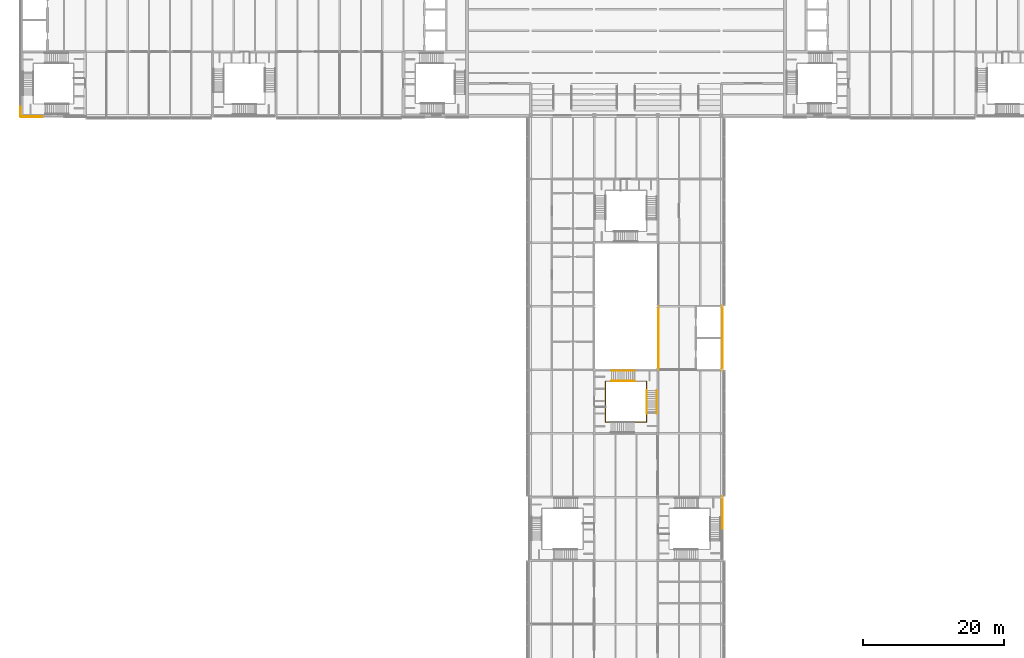
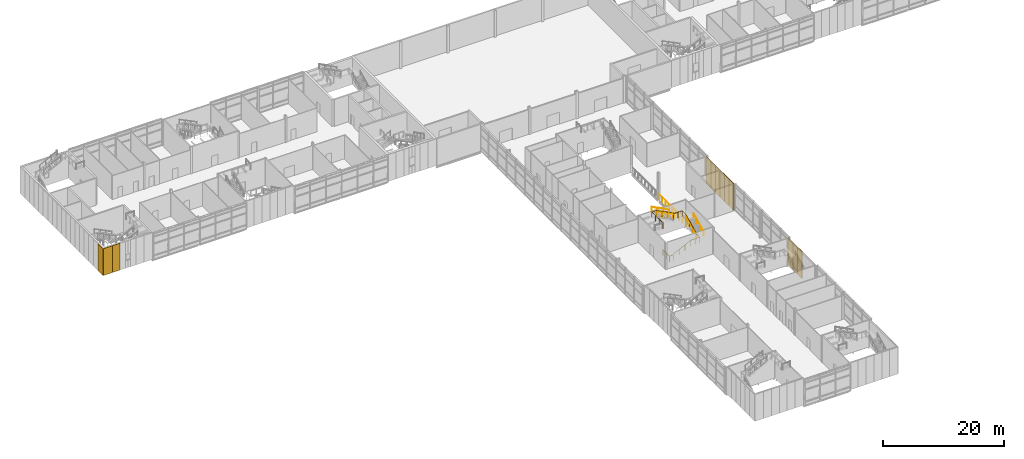
# One storey, part 45 of 52: 12 coverings, 6 railings.
"""IFC4 building model written with IfcOpenShell, lengths in metres."""

from ifc_helpers import new_model, si_unit, direction, frame, origin, origin_2d, place, context, subcontext, project, spatial, rectangle, circle, extrude, material, layer, layer_set, type_object, element, save


model = new_model("IFC4")

# Units and contexts
model_context = context("Model", 3, precision=1e-05, world=origin(), true_north=direction((0.0, 1.0)))
body_context = subcontext(model_context, "Body", "Model", "MODEL_VIEW")
ifc_project = project(units=[si_unit("LENGTHUNIT", "METRE"), si_unit("AREAUNIT", "SQUARE_METRE"), si_unit("VOLUMEUNIT", "CUBIC_METRE"), si_unit("PLANEANGLEUNIT", "RADIAN"), si_unit("MASSUNIT", "GRAM", prefix="KILO")], contexts=[model_context])

# Site, building, storey
site_placement = place(None, origin())
site = spatial("IfcSite", under=ifc_project, at=site_placement, CompositionType="ELEMENT")
building_placement = place(site_placement, origin())
building = spatial("IfcBuilding", under=site, at=building_placement, Name="Azimuth Sports and Learning Centre", CompositionType="ELEMENT")
storey_placement = place(building_placement, frame((0.0, 0.0, 16.199951171875)))
storey = spatial("IfcBuildingStorey", under=building, at=storey_placement, Name="L03", CompositionType="ELEMENT", Elevation=16.199951171875)

# Coverings
ifc_material_1 = material(Name="Cladding panel")
ifc_layer = layer(ifc_material_1, 0.10009765625)
ifc_layer_set = layer_set([ifc_layer], Name="Cladding panel")
covering_type = type_object("IfcCoveringType", Name="Cladding panel 100", PredefinedType="CLADDING", material=ifc_layer_set)
covering_1_placement = place(storey_placement, frame((0.675048828125, 89.800048828125, 0.0), z_axis=(0.0, 0.0, 1.0), x_axis=(1.0, 0.0, 0.0)))
element("IfcCovering", 1, at=covering_1_placement, inside=storey, type_object=covering_type, Name="Cladding panel S-END W L03 1", PredefinedType="CLADDING", context=body_context, shape_type="SweptSolid", body=[
    extrude(rectangle(XDim=1.64990234375, YDim=0.10009765625, at=origin_2d()), origin(), (0.0, 0.0, 1.0), 5.39990234375),
])
for number, where, z_axis, x_axis, name in (
    (2, (2.25, 89.800048828125, 0.0), (0.0, 0.0, 1.0), (1.0, 0.0, 0.0), "Cladding panel S-END W L03 2"),
    (3, (99.14990234375, 32.25, 0.0), (0.0, 0.0, 1.0), (0.0, 1.0, 0.0), "Cladding panel E-ST4 L03 4"),
    (4, (99.14990234375, 33.75, 0.0), (0.0, 0.0, 1.0), (0.0, 1.0, 0.0), "Cladding panel E-ST4 L03 5"),
):
    element("IfcCovering", number, at=place(storey_placement, frame(where, z_axis=z_axis, x_axis=x_axis)), inside=storey, type_object=covering_type, Name=name, PredefinedType="CLADDING", context=body_context, shape_type="SweptSolid", body=[
        extrude(rectangle(XDim=1.5, YDim=0.10009765625, at=origin_2d()), origin(), (0.0, 0.0, 1.0), 5.39990234375),
    ])
for number, where, z_axis, x_axis, name in (
    (5, (99.14990234375, 35.300048828125, 0.0), (0.0, 0.0, 1.0), (0.0, 1.0, 0.0), "Cladding panel E-ST4 L03 6"),
    (6, (99.14990234375, 54.699951171875, 0.0), (0.0, 0.0, 1.0), (0.0, 1.0, 0.0), "Cladding panel E-STL L03 1"),
):
    element("IfcCovering", number, at=place(storey_placement, frame(where, z_axis=z_axis, x_axis=x_axis)), inside=storey, type_object=covering_type, Name=name, PredefinedType="CLADDING", context=body_context, shape_type="SweptSolid", body=[
        extrude(rectangle(XDim=1.60009765625, YDim=0.10009765625, at=origin_2d()), origin(), (0.0, 0.0, 1.0), 5.39990234375),
    ])
for number, where, z_axis, x_axis, name in (
    (7, (99.14990234375, 56.25, 0.0), (0.0, 0.0, 1.0), (0.0, 1.0, 0.0), "Cladding panel E-STL L03 2"),
    (8, (99.14990234375, 57.75, 0.0), (0.0, 0.0, 1.0), (0.0, 1.0, 0.0), "Cladding panel E-STL L03 3"),
    (9, (99.14990234375, 59.25, 0.0), (0.0, 0.0, 1.0), (0.0, 1.0, 0.0), "Cladding panel E-STL L03 4"),
    (10, (99.14990234375, 60.75, 0.0), (0.0, 0.0, 1.0), (0.0, 1.0, 0.0), "Cladding panel E-STL L03 5"),
):
    element("IfcCovering", number, at=place(storey_placement, frame(where, z_axis=z_axis, x_axis=x_axis)), inside=storey, type_object=covering_type, Name=name, PredefinedType="CLADDING", context=body_context, shape_type="SweptSolid", body=[
        extrude(rectangle(XDim=1.5, YDim=0.10009765625, at=origin_2d()), origin(), (0.0, 0.0, 1.0), 5.39990234375),
    ])
covering_2_placement = place(storey_placement, frame((99.14990234375, 62.300048828125, 0.0), z_axis=(0.0, 0.0, 1.0), x_axis=(0.0, 1.0, 0.0)))
element("IfcCovering", 11, at=covering_2_placement, inside=storey, type_object=covering_type, Name="Cladding panel E-STL L03 6", PredefinedType="CLADDING", context=body_context, shape_type="SweptSolid", body=[
    extrude(rectangle(XDim=1.60009765625, YDim=0.10009765625, at=origin_2d()), origin(), (0.0, 0.0, 1.0), 5.39990234375),
])
covering_3_placement = place(storey_placement, frame((-0.199951171875, 90.675048828125, 0.0), z_axis=(0.0, 0.0, 1.0), x_axis=(0.0, -1.0, 0.0)))
element("IfcCovering", 12, at=covering_3_placement, inside=storey, type_object=covering_type, Name="Cladding panel W-END W L03 18", PredefinedType="CLADDING", context=body_context, shape_type="SweptSolid", body=[
    extrude(rectangle(XDim=1.64990234375, YDim=0.10009765625, at=origin_2d()), origin(), (0.0, 0.0, 1.0), 5.39990234375),
])

# Railings
ifc_material_2 = material(Name="Steel balustrade", Category="steel")
railing_type_1 = type_object("IfcRailingType", Name="Guard 1100", PredefinedType="GUARDRAIL", material=ifc_material_2)
railing_1_placement = place(storey_placement, frame((90.070068359375, 54.0, 0.0)))
element("IfcRailing", 13, at=railing_1_placement, inside=storey, type_object=railing_type_1, Name="Atrium guard", PredefinedType="GUARDRAIL", context=body_context, shape_type="SweptSolid", body=[
    extrude(circle(Radius=0.02392578125, at=origin_2d()), frame((0.0, 0.0, 1.076171875), z_axis=(0.0, 1.0, 0.0), x_axis=(-1.0, 0.0, 0.0)), (0.0, 0.0, 1.0), 9.0),
    extrude(circle(Radius=0.02099609375, at=origin_2d()), origin(), (0.0, 0.0, 1.0), 1.052001953125),
    extrude(circle(Radius=0.02099609375, at=origin_2d()), frame((0.0, 1.125, 0.0)), (0.0, 0.0, 1.0), 1.052001953125),
    extrude(circle(Radius=0.02099609375, at=origin_2d()), frame((0.0, 2.25, 0.0)), (0.0, 0.0, 1.0), 1.052001953125),
    extrude(circle(Radius=0.02099609375, at=origin_2d()), frame((0.0, 3.375, 0.0)), (0.0, 0.0, 1.0), 1.052001953125),
    extrude(circle(Radius=0.02099609375, at=origin_2d()), frame((0.0, 4.5, 0.0)), (0.0, 0.0, 1.0), 1.052001953125),
    extrude(circle(Radius=0.02099609375, at=origin_2d()), frame((0.0, 5.625, 0.0)), (0.0, 0.0, 1.0), 1.052001953125),
    extrude(circle(Radius=0.02099609375, at=origin_2d()), frame((0.0, 6.75, 0.0)), (0.0, 0.0, 1.0), 1.052001953125),
    extrude(circle(Radius=0.02099609375, at=origin_2d()), frame((0.0, 7.875, 0.0)), (0.0, 0.0, 1.0), 1.052001953125),
    extrude(circle(Radius=0.02099609375, at=origin_2d()), frame((0.0, 9.0, 0.0)), (0.0, 0.0, 1.0), 1.052001953125),
])
ifc_material_3 = material(Name="Stainless steel", Category="steel")
railing_type_2 = type_object("IfcRailingType", Name="Stair guard 1100", PredefinedType="GUARDRAIL", material=ifc_material_3)
railing_2_placement = place(storey_placement, frame((82.610107421875, 48.75, 0.0)))
element("IfcRailing", 14, at=railing_2_placement, inside=storey, type_object=railing_type_2, Name="Guard STC L03 well", PredefinedType="GUARDRAIL", context=body_context, shape_type="SweptSolid", body=[
    extrude(circle(Radius=0.02392578125, at=origin_2d()), frame((0.0, 0.0, 1.076171875), z_axis=(0.0, -1.0, 0.0), x_axis=(1.0, 0.0, 0.0)), (0.0, 0.0, 1.0), 2.139892578125),
    extrude(circle(Radius=0.02392578125, at=origin_2d()), frame((0.0, -2.139892578125, 1.076171875), z_axis=(1.0, 0.0, 0.0), x_axis=(0.0, 1.0, 0.0)), (0.0, 0.0, 1.0), 0.75),
    extrude(circle(Radius=0.02392578125, at=origin_2d()), frame((0.75, -2.139892578125, 1.076171875), z_axis=(0.0, 0.0, 1.0), x_axis=(1.0, 0.0, 0.0)), (0.0, 0.0, 1.0), 0.150146484375),
    extrude(circle(Radius=0.02392578125, at=origin_2d()), frame((0.75, -2.139892578125, 1.22607421875), z_axis=(0.894427191, 0.0, 0.4472135955), x_axis=(0.0, 1.0, 0.0)), (0.0, 0.0, 1.0), 3.689208984375),
    extrude(circle(Radius=0.02392578125, at=origin_2d()), frame((4.0498046875, -2.139892578125, 2.8759765625), z_axis=(1.0, 0.0, 0.0), x_axis=(0.0, 1.0, 0.0)), (0.0, 0.0, 1.0), 1.72998046875),
    extrude(circle(Radius=0.02392578125, at=origin_2d()), frame((5.77978515625, -2.139892578125, 2.8759765625), z_axis=(0.0, 1.0, 0.0), x_axis=(-1.0, 0.0, 0.0)), (0.0, 0.0, 1.0), 1.199951171875),
    extrude(circle(Radius=0.02392578125, at=origin_2d()), frame((5.77978515625, -0.93994140625, 2.8759765625), z_axis=(0.0, 0.0, 1.0), x_axis=(1.0, 0.0, 0.0)), (0.0, 0.0, 1.0), 0.14990234375),
    extrude(circle(Radius=0.02392578125, at=origin_2d()), frame((5.77978515625, -0.93994140625, 3.02587890625), z_axis=(0.0, 0.894413956696, 0.447240063129), x_axis=(-1.0, 0.0, 0.0)), (0.0, 0.0, 1.0), 3.689697265625),
    extrude(circle(Radius=0.02392578125, at=origin_2d()), frame((5.77978515625, 2.360107421875, 4.67626953125), z_axis=(0.0, 1.0, 0.0), x_axis=(-1.0, 0.0, 0.0)), (0.0, 0.0, 1.0), 1.27978515625),
    extrude(circle(Radius=0.02392578125, at=origin_2d()), frame((5.77978515625, 3.639892578125, 4.67626953125), z_axis=(-1.0, 0.0, 0.0), x_axis=(0.0, -1.0, 0.0)), (0.0, 0.0, 1.0), 1.64990234375),
    extrude(circle(Radius=0.02392578125, at=origin_2d()), frame((4.1298828125, 3.639892578125, 4.67626953125), z_axis=(0.0, 0.0, 1.0), x_axis=(1.0, 0.0, 0.0)), (0.0, 0.0, 1.0), 0.14990234375),
    extrude(circle(Radius=0.02392578125, at=origin_2d()), frame((4.1298828125, 3.639892578125, 4.826171875), z_axis=(-0.894413956696, 0.0, 0.447240063129), x_axis=(0.0, -1.0, 0.0)), (0.0, 0.0, 1.0), 3.689697265625),
    extrude(circle(Radius=0.02392578125, at=origin_2d()), frame((0.829833984375, 3.639892578125, 6.47607421875), z_axis=(-1.0, 0.0, 0.0), x_axis=(0.0, -1.0, 0.0)), (0.0, 0.0, 1.0), 0.829833984375),
    extrude(circle(Radius=0.02392578125, at=origin_2d()), frame((0.0, 3.639892578125, 6.47607421875), z_axis=(0.0, -1.0, 0.0), x_axis=(1.0, 0.0, 0.0)), (0.0, 0.0, 1.0), 3.639892578125),
    extrude(circle(Radius=0.01611328125, at=origin_2d()), origin(), (0.0, 0.0, 1.0), 1.052001953125),
    extrude(circle(Radius=0.01611328125, at=origin_2d()), frame((0.0, -1.06982421875, 0.0)), (0.0, 0.0, 1.0), 1.052001953125),
    extrude(circle(Radius=0.01611328125, at=origin_2d()), frame((0.0, -2.139892578125, 0.0)), (0.0, 0.0, 1.0), 1.052001953125),
    extrude(circle(Radius=0.01611328125, at=origin_2d()), frame((0.75, -2.139892578125, 0.0)), (0.0, 0.0, 1.0), 1.052001953125),
    extrude(circle(Radius=0.01611328125, at=origin_2d()), frame((0.75, -2.139892578125, 0.150146484375)), (0.0, 0.0, 1.0), 1.052001953125),
    extrude(circle(Radius=0.01611328125, at=origin_2d()), frame((1.849853515625, -2.139892578125, 0.7001953125)), (0.0, 0.0, 1.0), 1.052001953125),
    extrude(circle(Radius=0.01611328125, at=origin_2d()), frame((2.949951171875, -2.139892578125, 1.25)), (0.0, 0.0, 1.0), 1.052001953125),
    extrude(circle(Radius=0.01611328125, at=origin_2d()), frame((4.0498046875, -2.139892578125, 1.800048828125)), (0.0, 0.0, 1.0), 1.052001953125),
    extrude(circle(Radius=0.01611328125, at=origin_2d()), frame((4.914794921875, -2.139892578125, 1.800048828125)), (0.0, 0.0, 1.0), 1.052001953125),
    extrude(circle(Radius=0.01611328125, at=origin_2d()), frame((5.77978515625, -2.139892578125, 1.800048828125)), (0.0, 0.0, 1.0), 1.052001953125),
    extrude(circle(Radius=0.01611328125, at=origin_2d()), frame((5.77978515625, -0.93994140625, 1.800048828125)), (0.0, 0.0, 1.0), 1.052001953125),
    extrude(circle(Radius=0.01611328125, at=origin_2d()), frame((5.77978515625, -0.93994140625, 1.949951171875)), (0.0, 0.0, 1.0), 1.052001953125),
    extrude(circle(Radius=0.01611328125, at=origin_2d()), frame((5.77978515625, 0.16015625, 2.5)), (0.0, 0.0, 1.0), 1.052001953125),
    extrude(circle(Radius=0.01611328125, at=origin_2d()), frame((5.77978515625, 1.260009765625, 3.050048828125)), (0.0, 0.0, 1.0), 1.052001953125),
    extrude(circle(Radius=0.01611328125, at=origin_2d()), frame((5.77978515625, 2.360107421875, 3.60009765625)), (0.0, 0.0, 1.0), 1.052001953125),
    extrude(circle(Radius=0.01611328125, at=origin_2d()), frame((5.77978515625, 3.639892578125, 3.60009765625)), (0.0, 0.0, 1.0), 1.052001953125),
    extrude(circle(Radius=0.01611328125, at=origin_2d()), frame((4.954833984375, 3.639892578125, 3.60009765625)), (0.0, 0.0, 1.0), 1.052001953125),
    extrude(circle(Radius=0.01611328125, at=origin_2d()), frame((4.1298828125, 3.639892578125, 3.60009765625)), (0.0, 0.0, 1.0), 1.052001953125),
    extrude(circle(Radius=0.01611328125, at=origin_2d()), frame((4.1298828125, 3.639892578125, 3.75)), (0.0, 0.0, 1.0), 1.052001953125),
    extrude(circle(Radius=0.01611328125, at=origin_2d()), frame((3.02978515625, 3.639892578125, 4.300048828125)), (0.0, 0.0, 1.0), 1.052001953125),
    extrude(circle(Radius=0.01611328125, at=origin_2d()), frame((1.929931640625, 3.639892578125, 4.85009765625)), (0.0, 0.0, 1.0), 1.052001953125),
    extrude(circle(Radius=0.01611328125, at=origin_2d()), frame((0.829833984375, 3.639892578125, 5.400146484375)), (0.0, 0.0, 1.0), 1.052001953125),
    extrude(circle(Radius=0.01611328125, at=origin_2d()), frame((0.0, 3.639892578125, 5.400146484375)), (0.0, 0.0, 1.0), 1.052001953125),
    extrude(circle(Radius=0.01611328125, at=origin_2d()), frame((0.0, 2.426513671875, 5.400146484375)), (0.0, 0.0, 1.0), 1.052001953125),
    extrude(circle(Radius=0.01611328125, at=origin_2d()), frame((0.0, 1.21337890625, 5.400146484375)), (0.0, 0.0, 1.0), 1.052001953125),
    extrude(circle(Radius=0.01611328125, at=origin_2d()), frame((0.0, 0.0, 5.400146484375)), (0.0, 0.0, 1.0), 1.052001953125),
])
ifc_material_4 = material(Name="Stainless steel", Category="steel")
railing_type_3 = type_object("IfcRailingType", Name="Stair handrail 42", PredefinedType="HANDRAIL", material=ifc_material_4)
for number, where, name in (
    (15, (88.419921875, 47.81005859375, 1.949951171875), "Handrail STC L03 flight 2 inner"),
    (16, (89.860107421875, 47.81005859375, 1.949951171875), "Handrail STC L03 flight 2 outer"),
):
    element("IfcRailing", number, at=place(storey_placement, frame(where)), inside=storey, type_object=railing_type_3, Name=name, PredefinedType="HANDRAIL", context=body_context, shape_type="SweptSolid", body=[
        extrude(circle(Radius=0.02099609375, at=origin_2d()), frame((0.0, 0.0, 0.87890625), z_axis=(0.0, 0.894413956696, 0.447240063129), x_axis=(-1.0, 0.0, 0.0)), (0.0, 0.0, 1.0), 3.689697265625),
        extrude(circle(Radius=0.01611328125, at=origin_2d()), origin(), (0.0, 0.0, 1.0), 0.85791015625),
        extrude(circle(Radius=0.01611328125, at=origin_2d()), frame((0.0, 1.10009765625, 0.550048828125)), (0.0, 0.0, 1.0), 0.85791015625),
        extrude(circle(Radius=0.01611328125, at=origin_2d()), frame((0.0, 2.199951171875, 1.10009765625)), (0.0, 0.0, 1.0), 0.85791015625),
        extrude(circle(Radius=0.01611328125, at=origin_2d()), frame((0.0, 3.300048828125, 1.650146484375)), (0.0, 0.0, 1.0), 0.85791015625),
    ])
for number, where, name in (
    (17, (86.739990234375, 52.419921875, 3.75), "Handrail STC L03 flight 3 inner"),
    (18, (86.739990234375, 53.860107421875, 3.75), "Handrail STC L03 flight 3 outer"),
):
    element("IfcRailing", number, at=place(storey_placement, frame(where)), inside=storey, type_object=railing_type_3, Name=name, PredefinedType="HANDRAIL", context=body_context, shape_type="SweptSolid", body=[
        extrude(circle(Radius=0.02099609375, at=origin_2d()), frame((0.0, 0.0, 0.87890625), z_axis=(-0.894413956696, 0.0, 0.447240063129), x_axis=(0.0, -1.0, 0.0)), (0.0, 0.0, 1.0), 3.689697265625),
        extrude(circle(Radius=0.01611328125, at=origin_2d()), origin(), (0.0, 0.0, 1.0), 0.85791015625),
        extrude(circle(Radius=0.01611328125, at=origin_2d()), frame((-1.10009765625, 0.0, 0.550048828125)), (0.0, 0.0, 1.0), 0.85791015625),
        extrude(circle(Radius=0.01611328125, at=origin_2d()), frame((-2.199951171875, 0.0, 1.10009765625)), (0.0, 0.0, 1.0), 0.85791015625),
        extrude(circle(Radius=0.01611328125, at=origin_2d()), frame((-3.300048828125, 0.0, 1.650146484375)), (0.0, 0.0, 1.0), 0.85791015625),
    ])

save(model, "model.ifc")
